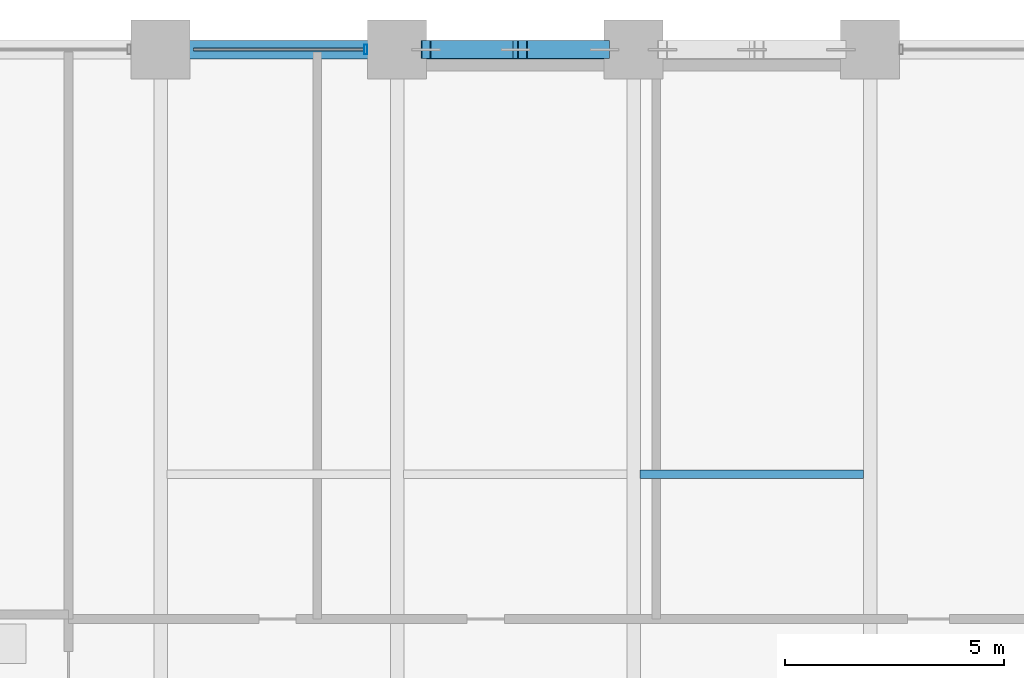
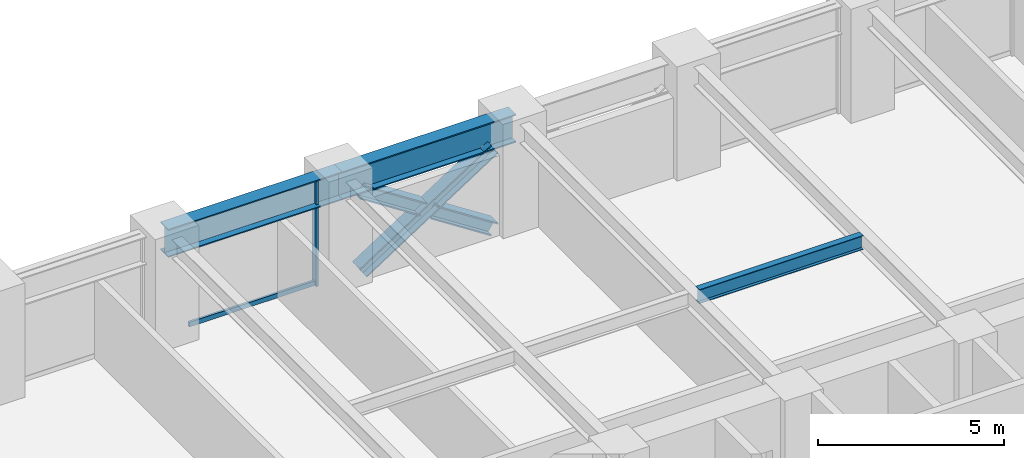
# One storey, part 13 of 27: 5 members, 3 beams, 1 element without a shape of its own.
"""IFC4 building model written with IfcOpenShell, lengths in metres."""

import ifcopenshell
import ifcopenshell.guid

model = None  # the IFC model being written
_history = None  # IfcOwnerHistory: only IFC2X3 demands one
_inside = {}  # id of a spatial element -> (the spatial element, [elements in it])
_under = {}  # id of a project, library or spatial element -> (it, [spatial elements below it])
_declared = {}  # id of a project -> (the project, [libraries it declares])
_typed = {}  # id of a type object -> (the type object, [elements of that type])
_made_of = {}  # id of a material, layer set ... -> (it, [elements and type objects made of it])


def new_model(schema):
    """Start an empty IFC model of exactly this schema.

    Asked for "IFC4X3", IfcOpenShell would pick the latest addendum, in which some entities
    have other attributes; the version numbers below select the first issue.
    IFC2X3 requires an IfcOwnerHistory on every rooted entity: one is made here for all.
    """
    global model, _history
    if schema == "IFC4X3":
        model = ifcopenshell.file(schema_version=(4, 3, 0, 0))
    else:
        model = ifcopenshell.file(schema=schema)
    _inside.clear()
    _under.clear()
    _declared.clear()
    _typed.clear()
    _made_of.clear()
    _history = None
    if model.schema == "IFC2X3":
        org = make("IfcOrganization", Name="unknown")
        user = make(
            "IfcPersonAndOrganization",
            ThePerson=make("IfcPerson", FamilyName="unknown"),
            TheOrganization=org,
        )
        app = make(
            "IfcApplication",
            ApplicationDeveloper=org,
            Version="unknown",
            ApplicationFullName="unknown",
            ApplicationIdentifier="unknown",
        )
        _history = make(
            "IfcOwnerHistory",
            OwningUser=user,
            OwningApplication=app,
            ChangeAction="ADDED",
            CreationDate=0,
        )
    return model


def make(cls, **values):
    """One entity of the class cls with the attributes given. An attribute that is None is left unset."""
    return model.create_entity(
        cls, **{name: value for name, value in values.items() if value is not None}
    )


def rooted(cls, **values):
    """An entity with a GlobalId (a new one), such as an element, a storey or a relation."""
    return make(cls, GlobalId=ifcopenshell.guid.new(), OwnerHistory=_history, **values)


def si_unit(unit_type, name, prefix=None):
    """IfcSIUnit, for example si_unit("LENGTHUNIT", "METRE", prefix="MILLI")."""
    return make("IfcSIUnit", UnitType=unit_type, Prefix=prefix, Name=name)


def assignment(units):
    """IfcUnitAssignment: the units of a project."""
    return None if units is None else make("IfcUnitAssignment", Units=units)


def point(xyz):
    """IfcCartesianPoint."""
    return None if xyz is None else make("IfcCartesianPoint", Coordinates=xyz)


def direction(xyz):
    """IfcDirection."""
    return None if xyz is None else make("IfcDirection", DirectionRatios=xyz)


def frame(location, z_axis=None, x_axis=None):
    """IfcAxis2Placement3D, a coordinate frame: its origin and axes. An axis left out is left unset."""
    return make(
        "IfcAxis2Placement3D",
        Location=point(location),
        Axis=direction(z_axis),
        RefDirection=direction(x_axis),
    )


def frame_2d(location, x_axis=None):
    """IfcAxis2Placement2D, a coordinate frame in the plane: its origin and x axis."""
    return make(
        "IfcAxis2Placement2D", Location=point(location), RefDirection=direction(x_axis)
    )


def origin():
    """The frame at (0, 0, 0) with its axes left unset."""
    return frame((0.0, 0.0, 0.0))


def origin_2d():
    """The frame at (0, 0) in the plane with its x axis left unset."""
    return frame_2d((0.0, 0.0))


def place(relative_to, where):
    """IfcLocalPlacement: puts the frame where relative to a parent placement (None: the world)."""
    return make(
        "IfcLocalPlacement", PlacementRelTo=relative_to, RelativePlacement=where
    )


def context(
    kind, dimensions, precision=None, world=None, true_north=None, identifier=None
):
    """IfcGeometricRepresentationContext, for example the 3D "Model" context."""
    return make(
        "IfcGeometricRepresentationContext",
        ContextIdentifier=identifier,
        ContextType=kind,
        CoordinateSpaceDimension=dimensions,
        Precision=precision,
        WorldCoordinateSystem=world,
        TrueNorth=true_north,
    )


def subcontext(parent, identifier, kind, view, scale=None):
    """IfcGeometricRepresentationSubContext, for example "Body" below "Model"."""
    return make(
        "IfcGeometricRepresentationSubContext",
        ContextIdentifier=identifier,
        ContextType=kind,
        ParentContext=parent,
        TargetScale=scale,
        TargetView=view,
    )


def project(units=None, contexts=None):
    """IfcProject with its units and contexts."""
    return rooted(
        "IfcProject",
        Name="project",
        RepresentationContexts=contexts,
        UnitsInContext=assignment(units),
    )


def spatial(cls, under=None, at=None, **own):
    """A site, building, storey or space (cls), placed at a placement, below another one or the project."""
    s = rooted(cls, ObjectPlacement=at, **own)
    if under is not None:
        _under.setdefault(under.id(), (under, []))[1].append(s)
    return s


def profile(cls, at=None, kind="AREA", **sizes):
    """A parametric profile (cls). Its sizes go by their IFC names, for example OverallWidth=200.0."""
    return make(cls, ProfileType=kind, Position=at, **sizes)


def hollow_rectangle(**sizes):
    """IfcRectangleHollowProfileDef."""
    return profile("IfcRectangleHollowProfileDef", **sizes)


def i_section(**sizes):
    """IfcIShapeProfileDef."""
    return profile("IfcIShapeProfileDef", **sizes)


def extrude(swept, where, along, depth):
    """IfcExtrudedAreaSolid: the profile swept, set in the frame where, extruded along a direction by depth."""
    return make(
        "IfcExtrudedAreaSolid",
        SweptArea=swept,
        Position=where,
        ExtrudedDirection=direction(along),
        Depth=depth,
    )


def shape(context_of_items, identifier, shape_type, items):
    """IfcShapeRepresentation: the items that make up one representation, for example the "Body"."""
    return make(
        "IfcShapeRepresentation",
        ContextOfItems=context_of_items,
        RepresentationIdentifier=identifier,
        RepresentationType=shape_type,
        Items=items,
    )


def material(Name=None, Category=None):
    """IfcMaterial."""
    return make("IfcMaterial", Name=Name, Category=Category)


def layer(
    of_material, thickness, ventilated=None, Name=None, Category=None, Priority=None
):
    """IfcMaterialLayer: one layer of a wall or slab, of a material (None: an air gap)."""
    return make(
        "IfcMaterialLayer",
        Material=of_material,
        LayerThickness=thickness,
        IsVentilated=ventilated,
        Name=Name,
        Category=Category,
        Priority=Priority,
    )


def layer_set(layers, Name=None):
    """IfcMaterialLayerSet."""
    return make("IfcMaterialLayerSet", MaterialLayers=layers, LayerSetName=Name)


def material_profile(
    of_material, cross_section, Name=None, Category=None, Priority=None
):
    """IfcMaterialProfile: a cross section and its material."""
    return make(
        "IfcMaterialProfile",
        Name=Name,
        Material=of_material,
        Profile=cross_section,
        Priority=Priority,
        Category=Category,
    )


def profile_set(profiles, Name=None, composite=None):
    """IfcMaterialProfileSet."""
    return make(
        "IfcMaterialProfileSet",
        Name=Name,
        MaterialProfiles=profiles,
        CompositeProfile=composite,
    )


def made_of(thing, what):
    """Note that an element or type object is made of a material, layer set ...; save() writes the relation."""
    if what is not None:
        _made_of.setdefault(what.id(), (what, []))[1].append(thing)
    return thing


def type_object(cls, material=None, **own):
    """A type object (cls), such as IfcWallType, which elements share."""
    return made_of(rooted(cls, **own), material)


def element(
    cls,
    number,
    at=None,
    inside=None,
    cuts=None,
    type_object=None,
    material=None,
    context=None,
    identifier="Body",
    shape_type=None,
    held_by="IfcProductDefinitionShape",
    body=None,
    shapes=None,
    **own,
):
    """One element of the class cls, such as IfcWall. Its Tag is "e" and its number.

    at: its placement. inside: the storey or other place that contains it. cuts: it is an
    opening in that element (IfcRelVoidsElement). A single representation is given by context,
    identifier, shape_type and body (its items); several are given by shapes. held_by: the class
    of the entity that holds the representations. save() writes the other relations.
    """
    e = rooted(cls, Tag="e%d" % number, ObjectPlacement=at, **own)
    if body is not None:
        shapes = [shape(context, identifier, shape_type, body)]
    if shapes is not None:
        e.Representation = make(held_by, Representations=shapes)
    if inside is not None:
        _inside.setdefault(inside.id(), (inside, []))[1].append(e)
    if cuts is not None:
        rooted(
            "IfcRelVoidsElement", RelatingBuildingElement=cuts, RelatedOpeningElement=e
        )
    if type_object is not None:
        _typed.setdefault(type_object.id(), (type_object, []))[1].append(e)
    return made_of(e, material)


def aggregate(whole, parts):
    """IfcRelAggregates: a whole, such as a stair, and the parts it consists of."""
    return rooted("IfcRelAggregates", RelatingObject=whole, RelatedObjects=parts)


def save(model, path):
    """Write the relations noted so far, then the file.

    IfcRelAggregates (storeys below a building ...), IfcRelContainedInSpatialStructure (elements
    in a storey), IfcRelDefinesByType, IfcRelAssociatesMaterial and IfcRelDeclares: one each for
    every whole, place, type object, material and project.
    """
    for whole, parts in _under.values():
        aggregate(whole, parts)
    for where, things in _inside.values():
        rooted(
            "IfcRelContainedInSpatialStructure",
            RelatedElements=things,
            RelatingStructure=where,
        )
    for kind, things in _typed.values():
        rooted("IfcRelDefinesByType", RelatedObjects=things, RelatingType=kind)
    for what, things in _made_of.values():
        rooted("IfcRelAssociatesMaterial", RelatedObjects=things, RelatingMaterial=what)
    for by, libraries in _declared.values():
        rooted("IfcRelDeclares", RelatingContext=by, RelatedDefinitions=libraries)
    model.write(path)


model = new_model("IFC4")

# Units and contexts
model_context = context("Model", 3, precision=1e-05, world=origin(), true_north=direction((0.0, 1.0)))
body_context = subcontext(model_context, "Body", "Model", "MODEL_VIEW")
ifc_project = project(units=[si_unit("LENGTHUNIT", "METRE"), si_unit("AREAUNIT", "SQUARE_METRE"), si_unit("VOLUMEUNIT", "CUBIC_METRE"), si_unit("PLANEANGLEUNIT", "RADIAN"), si_unit("MASSUNIT", "GRAM", prefix="KILO")], contexts=[model_context])

# Site, building, storey
site_placement = place(None, origin())
site = spatial("IfcSite", under=ifc_project, at=site_placement, CompositionType="ELEMENT")
building_placement = place(site_placement, origin())
building = spatial("IfcBuilding", under=site, at=building_placement, Name="Surkhivell Harbour Commons", CompositionType="ELEMENT")
storey_placement = place(building_placement, frame((0.0, 0.0, 22.5)))
storey = spatial("IfcBuildingStorey", under=building, at=storey_placement, Name="L05", CompositionType="ELEMENT", Elevation=22.5)

# Beams
ifc_material_1 = material(Name="Steel S355", Category="steel")
ifc_material_profile_1 = material_profile(ifc_material_1, i_section(OverallWidth=0.19189453125, OverallDepth=0.462890625, WebThickness=0.010498046875, FlangeThickness=0.017578125, at=origin_2d()), Name="UB457x191x89")
ifc_profile_set_1 = profile_set([ifc_material_profile_1], Name="Steel S355")
beam_type_1 = type_object("IfcBeamType", Name="BM-JST-457A", PredefinedType="JOIST", material=ifc_profile_set_1)
beam_1_placement = place(storey_placement, frame((0.151611328125, 16.199951171875, 3.33837890625), z_axis=(1.0, 0.0, 0.0), x_axis=(0.0, 1.0, 0.0)))
element("IfcBeam", 1, at=beam_1_placement, inside=storey, type_object=beam_type_1, Name="L05 North Composite Joist (0.0)", PredefinedType="JOIST", context=body_context, shape_type="SweptSolid", body=[
    extrude(i_section(OverallWidth=0.19189453125, OverallDepth=0.462890625, WebThickness=0.010498046875, FlangeThickness=0.017578125, at=origin_2d()), origin(), (0.0, 0.0, 1.0), 5.096923828125),
])
ifc_material_2 = material(Name="Steel S460", Category="steel")
ifc_material_profile_2 = material_profile(ifc_material_2, i_section(OverallWidth=0.419921875, OverallDepth=0.9208984375, WebThickness=0.021484375, FlangeThickness=0.03662109375, at=origin_2d()), Name="UB914x419x388")
ifc_profile_set_2 = profile_set([ifc_material_profile_2], Name="Steel S460")
beam_type_2 = type_object("IfcBeamType", Name="BM-SPN-914A", PredefinedType="SPANDREL", material=ifc_profile_set_2)
beam_2_placement = place(storey_placement, frame((-10.800048828125, 25.89990234375, 3.109619140625), z_axis=(1.0, 0.0, 0.0), x_axis=(0.0, 1.0, 0.0)))
element("IfcBeam", 2, at=beam_2_placement, inside=storey, type_object=beam_type_2, Name="L05 Tube Spandrel (-10.8,25.9)", PredefinedType="SPANDREL", context=body_context, shape_type="SweptSolid", body=[
    extrude(i_section(OverallWidth=0.419921875, OverallDepth=0.9208984375, WebThickness=0.021484375, FlangeThickness=0.03662109375, at=origin_2d()), origin(), (0.0, 0.0, 1.0), 5.400146484375),
])
beam_3_placement = place(storey_placement, frame((-5.39990234375, 25.89990234375, 3.109619140625), z_axis=(1.0, 0.0, 0.0), x_axis=(0.0, 1.0, 0.0)))
element("IfcBeam", 3, at=beam_3_placement, inside=storey, type_object=beam_type_2, Name="L05 Tube Spandrel (-5.4,25.9)", PredefinedType="SPANDREL", context=body_context, shape_type="SweptSolid", body=[
    extrude(i_section(OverallWidth=0.419921875, OverallDepth=0.9208984375, WebThickness=0.021484375, FlangeThickness=0.03662109375, at=origin_2d()), origin(), (0.0, 0.0, 1.0), 5.39990234375),
])

# Curtain wall, members
ifc_material_3 = material(Name="Anodised pale-metal aluminium and insulated glazing", Category="aluminium")
ifc_layer = layer(ifc_material_3, 0.219970703125)
ifc_layer_set = layer_set([ifc_layer], Name="Anodised pale-metal aluminium and insulated glazing")
curtain_wall_type = type_object("IfcCurtainWallType", Name="CW-SYS-Z1", PredefinedType="NOTDEFINED", material=ifc_layer_set)
curtain_wall_placement = place(storey_placement, origin())
curtain_wall = element("IfcCurtainWall", 4, at=curtain_wall_placement, inside=storey, type_object=curtain_wall_type, Name="L05 Curtain Wall CW-L05-E07S2", PredefinedType="NOTDEFINED")
ifc_material_4 = material(Name="Anodised pale-metal aluminium alloy 6063-T6", Category="aluminium")
ifc_material_profile_3 = material_profile(ifc_material_4, hollow_rectangle(XDim=0.074951171875, YDim=0.219970703125, WallThickness=0.00390625, at=origin_2d()), Name="ALU-MULL-75x220")
ifc_profile_set_3 = profile_set([ifc_material_profile_3], Name="Anodised pale-metal aluminium alloy 6063-T6")
member_type_1 = type_object("IfcMemberType", Name="CWM-220", PredefinedType="MULLION", material=ifc_profile_set_3)
member_1_placement = place(storey_placement, frame((-6.114501953125, 25.89990234375, 0.0), z_axis=(0.0, 0.0, 1.0), x_axis=(-1.0, 0.0, 0.0)))
member_1 = element("IfcMember", 5, at=member_1_placement, type_object=member_type_1, Name="CW-Z1 mullion 1", PredefinedType="MULLION", context=body_context, shape_type="SweptSolid", body=[
    extrude(hollow_rectangle(XDim=0.074951171875, YDim=0.219970703125, WallThickness=0.00390625, at=origin_2d()), origin(), (0.0, 0.0, 1.0), 3.570068359375),
])
ifc_material_profile_4 = material_profile(ifc_material_4, hollow_rectangle(XDim=0.074951171875, YDim=0.14990234375, WallThickness=0.00341796875, at=origin_2d()), Name="ALU-TRAN-75x150")
ifc_profile_set_4 = profile_set([ifc_material_profile_4], Name="Anodised pale-metal aluminium alloy 6063-T6")
member_type_2 = type_object("IfcMemberType", Name="CWT-150", PredefinedType="USERDEFINED", material=ifc_profile_set_4)
member_2_placement = place(storey_placement, frame((-6.152099609375, 25.89990234375, 0.074951171875), z_axis=(-1.0, 0.0, 0.0), x_axis=(0.0, -1.0, 0.0)))
member_2 = element("IfcMember", 6, at=member_2_placement, type_object=member_type_2, Name="CW-Z1 transom 1.1", ObjectType="TRANSOM", PredefinedType="USERDEFINED", context=body_context, shape_type="SweptSolid", body=[
    extrude(hollow_rectangle(XDim=0.074951171875, YDim=0.14990234375, WallThickness=0.00341796875, at=origin_2d()), origin(), (0.0, 0.0, 1.0), 3.89599609375),
])
aggregate(curtain_wall, [member_1, member_2])

# Members
ifc_material_profile_5 = material_profile(ifc_material_2, i_section(OverallWidth=0.406005859375, OverallDepth=0.416015625, WebThickness=0.026611328125, FlangeThickness=0.0390625, at=origin_2d()), Name="HD400x382")
ifc_profile_set_5 = profile_set([ifc_material_profile_5], Name="Steel S460")
member_type_3 = type_object("IfcMemberType", Name="MEM-BRC-HD382", PredefinedType="BRACE", material=ifc_profile_set_5)
member_3_placement = place(storey_placement, frame((-4.739990234375, 25.89990234375, 0.008056640625), z_axis=(0.83910375559, 0.0, 0.543971403067), x_axis=(0.0, 1.0, 0.0)))
element("IfcMember", 7, at=member_3_placement, inside=storey, type_object=member_type_3, Name="L05 Perimeter Mega-Brace MB- 01", PredefinedType="BRACE", context=body_context, shape_type="SweptSolid", body=[
    extrude(i_section(OverallWidth=0.406005859375, OverallDepth=0.416015625, WebThickness=0.026611328125, FlangeThickness=0.0390625, at=origin_2d()), origin(), (0.0, 0.0, 1.0), 4.8623046875),
])
member_4_placement = place(storey_placement, frame((-0.659912109375, 25.89990234375, 0.008056640625), z_axis=(-0.839117847051, 0.0, 0.54394966565), x_axis=(0.0, -1.0, 0.0)))
element("IfcMember", 8, at=member_4_placement, inside=storey, type_object=member_type_3, Name="L05 Perimeter Mega-Brace MB- 02", PredefinedType="BRACE", context=body_context, shape_type="SweptSolid", body=[
    extrude(i_section(OverallWidth=0.406005859375, OverallDepth=0.416015625, WebThickness=0.026611328125, FlangeThickness=0.0390625, at=origin_2d()), origin(), (0.0, 0.0, 1.0), 2.231689453125),
])
member_5_placement = place(storey_placement, frame((-2.86767578125, 25.89990234375, 1.439208984375), z_axis=(-0.83908547242, 0.0, 0.543999604756), x_axis=(0.0, -1.0, 0.0)))
element("IfcMember", 9, at=member_5_placement, inside=storey, type_object=member_type_3, Name="L05 Perimeter Mega-Brace MB- 03", PredefinedType="BRACE", context=body_context, shape_type="SweptSolid", body=[
    extrude(i_section(OverallWidth=0.406005859375, OverallDepth=0.416015625, WebThickness=0.026611328125, FlangeThickness=0.0390625, at=origin_2d()), origin(), (0.0, 0.0, 1.0), 2.2314453125),
])

save(model, "model.ifc")
